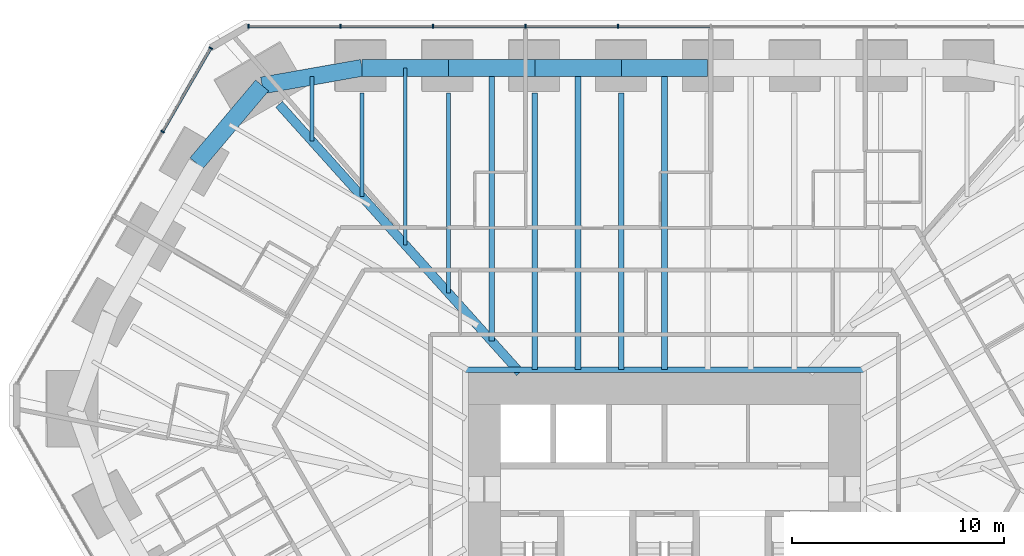
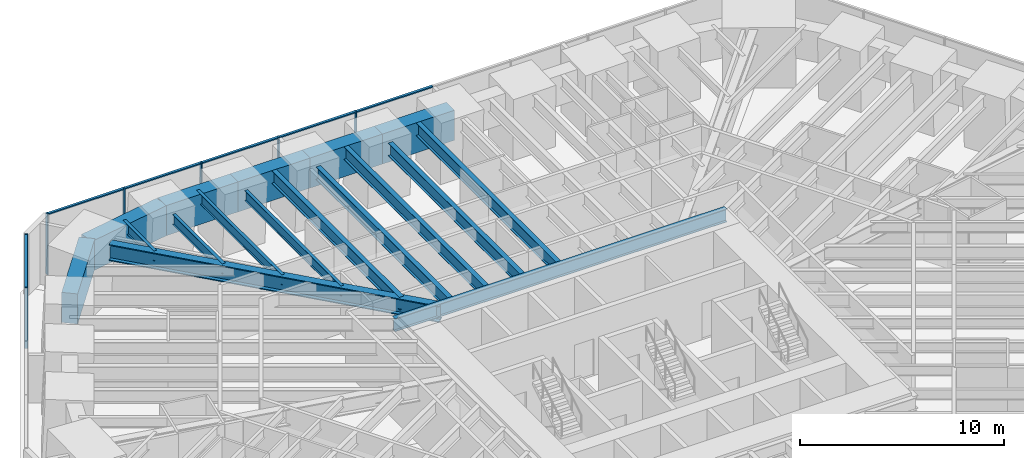
# One storey, part 8 of 17: 17 beams, 13 members, 2 elements without a shape of their own.
"""IFC4 building model written with IfcOpenShell, lengths in metres."""

from ifc_helpers import new_model, si_unit, direction, frame, origin, origin_2d, place, context, subcontext, project, spatial, rectangle, i_section, extrude, material, material_profile, profile_set, type_object, element, aggregate, save


model = new_model("IFC4")

# Units and contexts
model_context = context("Model", 3, precision=1e-05, world=origin(), true_north=direction((0.0, 1.0)))
body_context = subcontext(model_context, "Body", "Model", "MODEL_VIEW")
ifc_project = project(units=[si_unit("LENGTHUNIT", "METRE"), si_unit("AREAUNIT", "SQUARE_METRE"), si_unit("VOLUMEUNIT", "CUBIC_METRE"), si_unit("PLANEANGLEUNIT", "RADIAN"), si_unit("MASSUNIT", "GRAM", prefix="KILO")], contexts=[model_context])

# Site, building, storey
site_placement = place(None, origin())
site = spatial("IfcSite", under=ifc_project, at=site_placement, CompositionType="ELEMENT")
building_placement = place(site_placement, origin())
building = spatial("IfcBuilding", under=site, at=building_placement, Name="Sandreach Pilgrim Tower", CompositionType="ELEMENT")
storey_placement = place(building_placement, frame((0.0, 0.0, 72.39990234375)))
storey = spatial("IfcBuildingStorey", under=building, at=storey_placement, Name="L17", CompositionType="ELEMENT", Elevation=72.39990234375)

# Curtain wall, members
ifc_material_1 = material(Name="Aluminium framed curtain wall", Category="aluminium")
curtain_wall_type = type_object("IfcCurtainWallType", Name="Hostel tower curtain wall", PredefinedType="NOTDEFINED", material=ifc_material_1)
curtain_wall_1_placement = place(storey_placement, origin())
curtain_wall_1 = element("IfcCurtainWall", 1, at=curtain_wall_1_placement, inside=storey, type_object=curtain_wall_type, Name="CW-1 L17 N", PredefinedType="NOTDEFINED")
ifc_material_2 = material(Name="Aluminium extrusion", Category="aluminium")
ifc_material_profile_1 = material_profile(ifc_material_2, rectangle(XDim=0.06494140625, YDim=0.179931640625, at=origin_2d()), Name="CW-1M 65X180")
ifc_profile_set_1 = profile_set([ifc_material_profile_1], Name="Aluminium extrusion")
member_type_1 = type_object("IfcMemberType", Name="CW-1 mullion", PredefinedType="MULLION", material=ifc_profile_set_1)
member_1_placement = place(storey_placement, frame((-19.6396484375, 23.94873046875, 0.0), z_axis=(0.0, 0.0, 1.0), x_axis=(1.0, 0.0, 0.0)))
member_1 = element("IfcMember", 2, at=member_1_placement, type_object=member_type_1, Name="CW-1 mullion 1", PredefinedType="MULLION", context=body_context, shape_type="SweptSolid", body=[
    extrude(rectangle(XDim=0.06494140625, YDim=0.179931640625, at=origin_2d()), origin(), (0.0, 0.0, 1.0), 3.64013671875),
])
member_2_placement = place(storey_placement, frame((-15.300537109375, 23.94873046875, 0.0), z_axis=(0.0, 0.0, 1.0), x_axis=(1.0, 0.0, 0.0)))
member_2 = element("IfcMember", 3, at=member_2_placement, type_object=member_type_1, Name="CW-1 mullion 2", PredefinedType="MULLION", context=body_context, shape_type="SweptSolid", body=[
    extrude(rectangle(XDim=0.06494140625, YDim=0.179931640625, at=origin_2d()), origin(), (0.0, 0.0, 1.0), 3.64013671875),
])
member_3_placement = place(storey_placement, frame((-10.928955078125, 23.94873046875, 0.0), z_axis=(0.0, 0.0, 1.0), x_axis=(1.0, 0.0, 0.0)))
member_3 = element("IfcMember", 4, at=member_3_placement, type_object=member_type_1, Name="CW-1 mullion 3", PredefinedType="MULLION", context=body_context, shape_type="SweptSolid", body=[
    extrude(rectangle(XDim=0.06494140625, YDim=0.179931640625, at=origin_2d()), origin(), (0.0, 0.0, 1.0), 3.64013671875),
])
member_4_placement = place(storey_placement, frame((-6.557373046875, 23.94873046875, 0.0), z_axis=(0.0, 0.0, 1.0), x_axis=(1.0, 0.0, 0.0)))
member_4 = element("IfcMember", 5, at=member_4_placement, type_object=member_type_1, Name="CW-1 mullion 4", PredefinedType="MULLION", context=body_context, shape_type="SweptSolid", body=[
    extrude(rectangle(XDim=0.06494140625, YDim=0.179931640625, at=origin_2d()), origin(), (0.0, 0.0, 1.0), 3.64013671875),
])
member_5_placement = place(storey_placement, frame((-2.185791015625, 23.94873046875, 0.0), z_axis=(0.0, 0.0, 1.0), x_axis=(1.0, 0.0, 0.0)))
member_5 = element("IfcMember", 6, at=member_5_placement, type_object=member_type_1, Name="CW-1 mullion 5", PredefinedType="MULLION", context=body_context, shape_type="SweptSolid", body=[
    extrude(rectangle(XDim=0.06494140625, YDim=0.179931640625, at=origin_2d()), origin(), (0.0, 0.0, 1.0), 3.64013671875),
])

curtain_wall_2_placement = place(storey_placement, origin())
curtain_wall_2 = element("IfcCurtainWall", 7, at=curtain_wall_2_placement, inside=storey, type_object=curtain_wall_type, Name="CW-1 L17 NW", PredefinedType="NOTDEFINED")
member_6_placement = place(storey_placement, frame((-23.697265625, 18.97705078125, 0.0), z_axis=(0.0, 0.0, 1.0), x_axis=(0.5, 0.866025403784, 0.0)))
member_6 = element("IfcMember", 8, at=member_6_placement, type_object=member_type_1, Name="CW-1 mullion 4", PredefinedType="MULLION", context=body_context, shape_type="SweptSolid", body=[
    extrude(rectangle(XDim=0.06494140625, YDim=0.179931640625, at=origin_2d()), origin(), (0.0, 0.0, 1.0), 3.64013671875),
])
member_7_placement = place(storey_placement, frame((-21.42041015625, 22.920654296875, 0.0), z_axis=(0.0, 0.0, 1.0), x_axis=(0.5, 0.866025403784, 0.0)))
member_7 = element("IfcMember", 9, at=member_7_placement, type_object=member_type_1, Name="CW-1 mullion 5", PredefinedType="MULLION", context=body_context, shape_type="SweptSolid", body=[
    extrude(rectangle(XDim=0.06494140625, YDim=0.179931640625, at=origin_2d()), origin(), (0.0, 0.0, 1.0), 3.64013671875),
])

# Member
ifc_material_3 = material(Name="Aluminium extrusion", Category="aluminium")
ifc_material_profile_2 = material_profile(ifc_material_3, rectangle(XDim=0.139892578125, YDim=0.070068359375, at=origin_2d()), Name="CW-1T 140X70")
ifc_profile_set_2 = profile_set([ifc_material_profile_2], Name="Aluminium extrusion")
member_type_2 = type_object("IfcMemberType", Name="CW-1 transom", PredefinedType="USERDEFINED", material=ifc_profile_set_2)
member_8_placement = place(storey_placement, frame((-19.607177734375, 23.94873046875, 3.60498046875), z_axis=(1.0, 0.0, 0.0), x_axis=(0.0, 1.0, 0.0)))
member_8 = element("IfcMember", 10, at=member_8_placement, type_object=member_type_2, Name="CW-1 head transom 1", ObjectType="TRANSOM", PredefinedType="USERDEFINED", context=body_context, shape_type="SweptSolid", body=[
    extrude(rectangle(XDim=0.139892578125, YDim=0.070068359375, at=origin_2d()), origin(), (0.0, 0.0, 1.0), 4.274169921875),
])

member_9_placement = place(storey_placement, frame((-15.26806640625, 23.94873046875, 3.60498046875), z_axis=(1.0, 0.0, 0.0), x_axis=(0.0, 1.0, 0.0)))
member_9 = element("IfcMember", 11, at=member_9_placement, type_object=member_type_2, Name="CW-1 head transom 2", ObjectType="TRANSOM", PredefinedType="USERDEFINED", context=body_context, shape_type="SweptSolid", body=[
    extrude(rectangle(XDim=0.139892578125, YDim=0.070068359375, at=origin_2d()), origin(), (0.0, 0.0, 1.0), 4.306640625),
])

member_10_placement = place(storey_placement, frame((-10.896484375, 23.94873046875, 3.60498046875), z_axis=(1.0, 0.0, 0.0), x_axis=(0.0, 1.0, 0.0)))
member_10 = element("IfcMember", 12, at=member_10_placement, type_object=member_type_2, Name="CW-1 head transom 3", ObjectType="TRANSOM", PredefinedType="USERDEFINED", context=body_context, shape_type="SweptSolid", body=[
    extrude(rectangle(XDim=0.139892578125, YDim=0.070068359375, at=origin_2d()), origin(), (0.0, 0.0, 1.0), 4.306640625),
])

member_11_placement = place(storey_placement, frame((-6.52490234375, 23.94873046875, 3.60498046875), z_axis=(1.0, 0.0, 0.0), x_axis=(0.0, 1.0, 0.0)))
member_11 = element("IfcMember", 13, at=member_11_placement, type_object=member_type_2, Name="CW-1 head transom 4", ObjectType="TRANSOM", PredefinedType="USERDEFINED", context=body_context, shape_type="SweptSolid", body=[
    extrude(rectangle(XDim=0.139892578125, YDim=0.070068359375, at=origin_2d()), origin(), (0.0, 0.0, 1.0), 4.306640625),
])

member_12_placement = place(storey_placement, frame((-2.1533203125, 23.94873046875, 3.60498046875), z_axis=(1.0, 0.0, 0.0), x_axis=(0.0, 1.0, 0.0)))
member_12 = element("IfcMember", 14, at=member_12_placement, type_object=member_type_2, Name="CW-1 head transom 5", ObjectType="TRANSOM", PredefinedType="USERDEFINED", context=body_context, shape_type="SweptSolid", body=[
    extrude(rectangle(XDim=0.139892578125, YDim=0.070068359375, at=origin_2d()), origin(), (0.0, 0.0, 1.0), 4.306640625),
])

aggregate(curtain_wall_1, [member_1, member_2, member_3, member_4, member_5, member_8, member_9, member_10, member_11, member_12])

member_13_placement = place(storey_placement, frame((-23.680908203125, 19.005126953125, 3.60498046875), z_axis=(0.500017500808, 0.866015299452, 0.0), x_axis=(-0.866015299452, 0.500017500808, 0.0)))
member_13 = element("IfcMember", 15, at=member_13_placement, type_object=member_type_2, Name="CW-1 head transom 4", ObjectType="TRANSOM", PredefinedType="USERDEFINED", context=body_context, shape_type="SweptSolid", body=[
    extrude(rectangle(XDim=0.139892578125, YDim=0.070068359375, at=origin_2d()), origin(), (0.0, 0.0, 1.0), 4.488525390625),
])

aggregate(curtain_wall_2, [member_6, member_7, member_13])

# Beams
ifc_material_4 = material(Name="Steel ASTM A992 Grade 50", Category="steel")
ifc_material_profile_3 = material_profile(ifc_material_4, i_section(OverallWidth=0.2666015625, OverallDepth=0.77978515625, WebThickness=0.0166015625, FlangeThickness=0.030029296875, at=origin_2d()), Name="W30X148")
ifc_profile_set_3 = profile_set([ifc_material_profile_3], Name="Steel ASTM A992 Grade 50")
beam_type_1 = type_object("IfcBeamType", Name="Core edge beam W30X148", PredefinedType="BEAM", material=ifc_profile_set_3)
beam_1_placement = place(storey_placement, frame((-9.393310546875, 7.743408203125, 3.250244140625), z_axis=(1.0, 0.0, 0.0), x_axis=(0.0, 1.0, 0.0)))
element("IfcBeam", 16, at=beam_1_placement, inside=storey, type_object=beam_type_1, Name="BM L17 CEN", PredefinedType="BEAM", context=body_context, shape_type="SweptSolid", body=[
    extrude(i_section(OverallWidth=0.2666015625, OverallDepth=0.77978515625, WebThickness=0.0166015625, FlangeThickness=0.030029296875, at=origin_2d()), origin(), (0.0, 0.0, 1.0), 18.78662109375),
])
ifc_material_5 = material(Name="Steel ASTM A992 Grade 50", Category="steel")
ifc_material_profile_4 = material_profile(ifc_material_5, i_section(OverallWidth=0.4267578125, OverallDepth=0.975341796875, WebThickness=0.031005859375, FlangeThickness=0.055908203125, at=origin_2d()), Name="W36X395")
ifc_profile_set_4 = profile_set([ifc_material_profile_4], Name="Steel ASTM A992 Grade 50")
beam_type_2 = type_object("IfcBeamType", Name="Corner girder W36X395", PredefinedType="BEAM", material=ifc_profile_set_4)
beam_2_placement = place(storey_placement, frame((-18.19677734375, 20.264892578125, 3.15234375), z_axis=(0.668128290508, -0.74404609227, 0.0), x_axis=(0.74404609227, 0.668128290508, 0.0)))
element("IfcBeam", 17, at=beam_2_placement, inside=storey, type_object=beam_type_2, Name="BM L17 CG39", PredefinedType="BEAM", context=body_context, shape_type="SweptSolid", body=[
    extrude(i_section(OverallWidth=0.4267578125, OverallDepth=0.975341796875, WebThickness=0.031005859375, FlangeThickness=0.055908203125, at=origin_2d()), origin(), (0.0, 0.0, 1.0), 17.021484375),
])
ifc_material_6 = material(Name="Steel ASTM A992 Grade 50", Category="steel")
ifc_material_profile_5 = material_profile(ifc_material_6, i_section(OverallWidth=0.1787109375, OverallDepth=0.60205078125, WebThickness=0.010986328125, FlangeThickness=0.014892578125, at=origin_2d()), Name="W24X62")
ifc_profile_set_5 = profile_set([ifc_material_profile_5], Name="Steel ASTM A992 Grade 50")
beam_type_3 = type_object("IfcBeamType", Name="Floor beam W24X62", PredefinedType="BEAM", material=ifc_profile_set_5)
beam_3_placement = place(storey_placement, frame((-14.28125, 20.79052734375, 3.339111328125), z_axis=(0.0, -1.0, 0.0), x_axis=(1.0, 0.0, 0.0)))
element("IfcBeam", 18, at=beam_3_placement, inside=storey, type_object=beam_type_3, Name="BM L17 F01", PredefinedType="BEAM", context=body_context, shape_type="SweptSolid", body=[
    extrude(i_section(OverallWidth=0.1787109375, OverallDepth=0.60205078125, WebThickness=0.010986328125, FlangeThickness=0.014892578125, at=origin_2d()), origin(), (0.0, 0.0, 1.0), 4.885986328125),
])
beam_4_placement = place(storey_placement, frame((-10.200927734375, 20.79052734375, 3.339111328125), z_axis=(0.0, -1.0, 0.0), x_axis=(1.0, 0.0, 0.0)))
element("IfcBeam", 19, at=beam_4_placement, inside=storey, type_object=beam_type_3, Name="BM L17 F02", PredefinedType="BEAM", context=body_context, shape_type="SweptSolid", body=[
    extrude(i_section(OverallWidth=0.1787109375, OverallDepth=0.60205078125, WebThickness=0.010986328125, FlangeThickness=0.014892578125, at=origin_2d()), origin(), (0.0, 0.0, 1.0), 9.43017578125),
])
beam_5_placement = place(storey_placement, frame((-12.2412109375, 21.99072265625, 3.339111328125), z_axis=(0.0, -1.0, 0.0), x_axis=(1.0, 0.0, 0.0)))
element("IfcBeam", 20, at=beam_5_placement, inside=storey, type_object=beam_type_3, Name="BM L17 FM01", PredefinedType="BEAM", context=body_context, shape_type="SweptSolid", body=[
    extrude(i_section(OverallWidth=0.1787109375, OverallDepth=0.60205078125, WebThickness=0.010986328125, FlangeThickness=0.014892578125, at=origin_2d()), origin(), (0.0, 0.0, 1.0), 8.358154296875),
])
beam_6_placement = place(storey_placement, frame((-16.639892578125, 21.57421875, 3.339111328125), z_axis=(0.0, -1.0, 0.0), x_axis=(1.0, 0.0, 0.0)))
element("IfcBeam", 21, at=beam_6_placement, inside=storey, type_object=beam_type_3, Name="BM L17 FM39", PredefinedType="BEAM", context=body_context, shape_type="SweptSolid", body=[
    extrude(i_section(OverallWidth=0.1787109375, OverallDepth=0.60205078125, WebThickness=0.010986328125, FlangeThickness=0.014892578125, at=origin_2d()), origin(), (0.0, 0.0, 1.0), 3.04296875),
])
ifc_material_7 = material(Name="Steel ASTM A992 Grade 50", Category="steel")
ifc_material_profile_6 = material_profile(ifc_material_7, i_section(OverallWidth=0.2666015625, OverallDepth=0.761962890625, WebThickness=0.014404296875, FlangeThickness=0.021484375, at=origin_2d()), Name="W30X116")
ifc_profile_set_6 = profile_set([ifc_material_profile_6], Name="Steel ASTM A992 Grade 50")
beam_type_4 = type_object("IfcBeamType", Name="Floor beam W30X116", PredefinedType="BEAM", material=ifc_profile_set_6)
for number, where, z_axis, x_axis, name in (
    (22, (-6.12060546875, 20.79052734375, 3.259033203125), (0.0, -1.0, 0.0), (1.0, 0.0, 0.0), "BM L17 F03"),
    (23, (-2.040283203125, 20.79052734375, 3.259033203125), (0.0, -1.0, 0.0), (1.0, 0.0, 0.0), "BM L17 F04"),
):
    element("IfcBeam", number, at=place(storey_placement, frame(where, z_axis=z_axis, x_axis=x_axis)), inside=storey, type_object=beam_type_4, Name=name, PredefinedType="BEAM", context=body_context, shape_type="SweptSolid", body=[
        extrude(i_section(OverallWidth=0.2666015625, OverallDepth=0.761962890625, WebThickness=0.014404296875, FlangeThickness=0.021484375, at=origin_2d()), origin(), (0.0, 0.0, 1.0), 13.047119140625),
    ])
beam_7_placement = place(storey_placement, frame((-8.160888671875, 21.99072265625, 3.259033203125), z_axis=(0.0, -1.0, 0.0), x_axis=(1.0, 0.0, 0.0)))
element("IfcBeam", 24, at=beam_7_placement, inside=storey, type_object=beam_type_4, Name="BM L17 FM02", PredefinedType="BEAM", context=body_context, shape_type="SweptSolid", body=[
    extrude(i_section(OverallWidth=0.2666015625, OverallDepth=0.761962890625, WebThickness=0.014404296875, FlangeThickness=0.021484375, at=origin_2d()), origin(), (0.0, 0.0, 1.0), 12.90234375),
])
for number, where, z_axis, x_axis, name in (
    (25, (-4.080322265625, 21.99072265625, 3.259033203125), (0.0, -1.0, 0.0), (1.0, 0.0, 0.0), "BM L17 FM03"),
    (26, (0.0, 21.99072265625, 3.259033203125), (0.0, -1.0, 0.0), (1.0, 0.0, 0.0), "BM L17 FM04"),
):
    element("IfcBeam", number, at=place(storey_placement, frame(where, z_axis=z_axis, x_axis=x_axis)), inside=storey, type_object=beam_type_4, Name=name, PredefinedType="BEAM", context=body_context, shape_type="SweptSolid", body=[
        extrude(i_section(OverallWidth=0.2666015625, OverallDepth=0.761962890625, WebThickness=0.014404296875, FlangeThickness=0.021484375, at=origin_2d()), origin(), (0.0, 0.0, 1.0), 14.247314453125),
    ])
ifc_material_8 = material(Name="Concrete 10000 psi", Category="concrete")
ifc_material_profile_7 = material_profile(ifc_material_8, rectangle(XDim=0.800048828125, YDim=1.800048828125, at=origin_2d()), Name="RC800X1800")
ifc_profile_set_7 = profile_set([ifc_material_profile_7], Name="Concrete 10000 psi")
beam_type_5 = type_object("IfcBeamType", Name="Spandrel beam RC800X1800", PredefinedType="SPANDREL", material=ifc_profile_set_7)
for number, where, z_axis, x_axis, name in (
    (27, (-14.28125, 21.99072265625, 2.739990234375), (1.0, 0.0, 0.0), (0.0, 1.0, 0.0), "BM L17 SP01"),
    (28, (-10.200927734375, 21.99072265625, 2.739990234375), (1.0, 0.0, 0.0), (0.0, 1.0, 0.0), "BM L17 SP02"),
    (29, (-6.12060546875, 21.99072265625, 2.739990234375), (1.0, 0.0, 0.0), (0.0, 1.0, 0.0), "BM L17 SP03"),
):
    element("IfcBeam", number, at=place(storey_placement, frame(where, z_axis=z_axis, x_axis=x_axis)), inside=storey, type_object=beam_type_5, Name=name, PredefinedType="SPANDREL", context=body_context, shape_type="SweptSolid", body=[
        extrude(rectangle(XDim=0.800048828125, YDim=1.800048828125, at=origin_2d()), origin(), (0.0, 0.0, 1.0), 4.080322265625),
    ])
beam_8_placement = place(storey_placement, frame((-2.040283203125, 21.99072265625, 2.739990234375), z_axis=(1.0, 0.0, 0.0), x_axis=(0.0, 1.0, 0.0)))
element("IfcBeam", 30, at=beam_8_placement, inside=storey, type_object=beam_type_5, Name="BM L17 SP04", PredefinedType="SPANDREL", context=body_context, shape_type="SweptSolid", body=[
    extrude(rectangle(XDim=0.800048828125, YDim=1.800048828125, at=origin_2d()), origin(), (0.0, 0.0, 1.0), 4.08056640625),
])
beam_9_placement = place(storey_placement, frame((-22.09619140625, 17.48486328125, 2.739990234375), z_axis=(0.644711385494, 0.76442607845, 0.0), x_axis=(-0.76442607845, 0.644711385494, 0.0)))
element("IfcBeam", 31, at=beam_9_placement, inside=storey, type_object=beam_type_5, Name="BM L17 SP38", PredefinedType="SPANDREL", context=body_context, shape_type="SweptSolid", body=[
    extrude(rectangle(XDim=0.800048828125, YDim=1.800048828125, at=origin_2d()), origin(), (0.0, 0.0, 1.0), 4.8046875),
])
beam_10_placement = place(storey_placement, frame((-18.99853515625, 21.15771484375, 2.739990234375), z_axis=(0.98476405558, 0.173895816046, 0.0), x_axis=(-0.173895816046, 0.98476405558, 0.0)))
element("IfcBeam", 32, at=beam_10_placement, inside=storey, type_object=beam_type_5, Name="BM L17 SP39", PredefinedType="SPANDREL", context=body_context, shape_type="SweptSolid", body=[
    extrude(rectangle(XDim=0.800048828125, YDim=1.800048828125, at=origin_2d()), origin(), (0.0, 0.0, 1.0), 4.790283203125),
])

save(model, "model.ifc")
